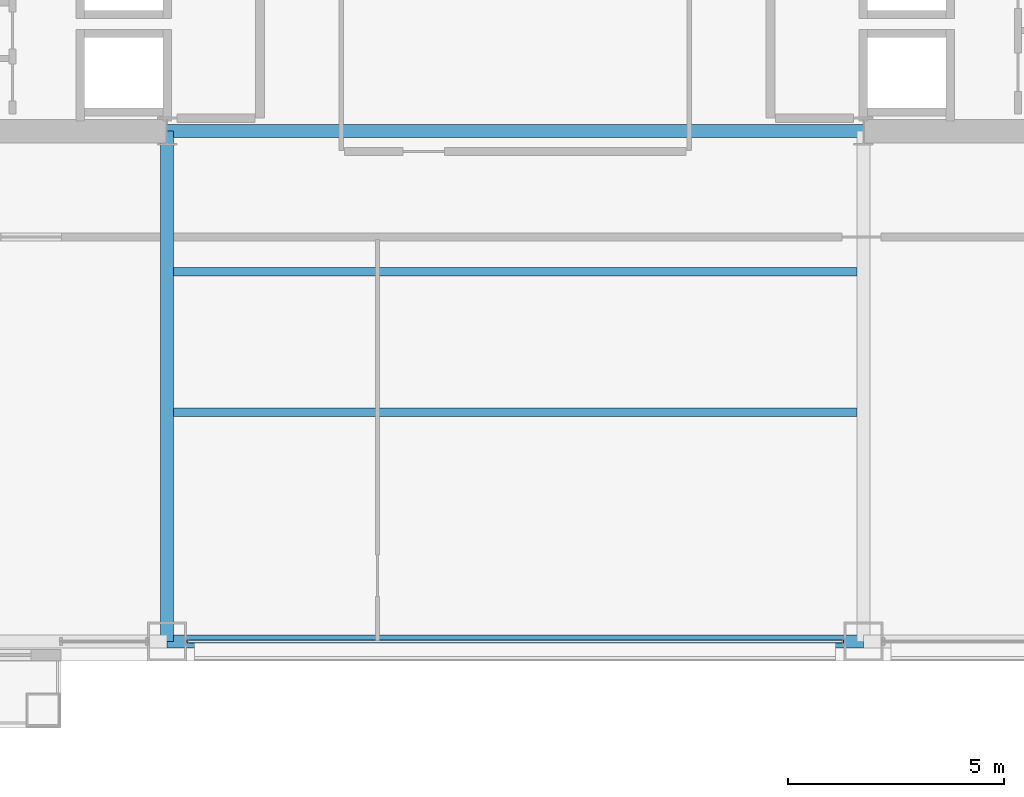
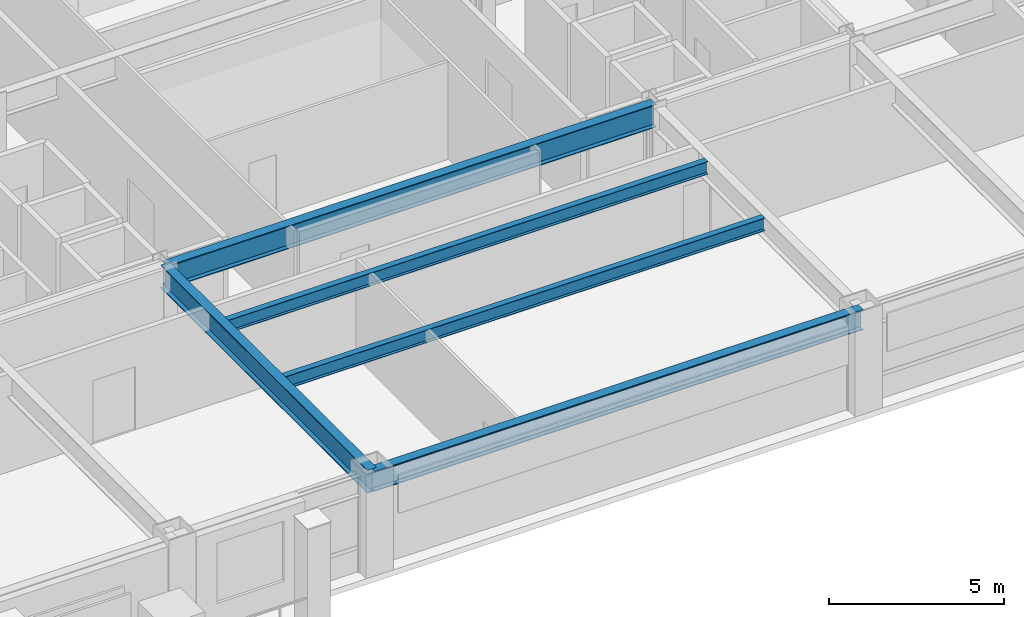
# One storey, part 5 of 28: 5 beams, 1 member, 1 element without a shape of its own.
"""IFC4 building model written with IfcOpenShell, lengths in metres."""

from ifc_helpers import new_model, si_unit, direction, frame, origin, origin_2d, place, context, subcontext, project, spatial, hollow_rectangle, i_section, extrude, material, layer, layer_set, material_profile, profile_set, type_object, element, aggregate, save


model = new_model("IFC4")

# Units and contexts
model_context = context("Model", 3, precision=1e-05, world=origin(), true_north=direction((0.0, 1.0)))
body_context = subcontext(model_context, "Body", "Model", "MODEL_VIEW")
ifc_project = project(units=[si_unit("LENGTHUNIT", "METRE"), si_unit("AREAUNIT", "SQUARE_METRE"), si_unit("VOLUMEUNIT", "CUBIC_METRE"), si_unit("PLANEANGLEUNIT", "RADIAN"), si_unit("MASSUNIT", "GRAM", prefix="KILO")], contexts=[model_context])

# Site, building, storey
site_placement = place(None, origin())
site = spatial("IfcSite", under=ifc_project, at=site_placement, CompositionType="ELEMENT")
building_placement = place(site_placement, origin())
building = spatial("IfcBuilding", under=site, at=building_placement, Name="Brelmoor Portico Tower", CompositionType="ELEMENT")
storey_placement = place(building_placement, frame((0.0, 0.0, 70.800048828125)))
storey = spatial("IfcBuildingStorey", under=building, at=storey_placement, Name="L18", CompositionType="ELEMENT", Elevation=70.800048828125)

# Beams
ifc_material_1 = material(Name="Steel Q355B", Category="steel")
ifc_material_profile_1 = material_profile(ifc_material_1, i_section(OverallWidth=0.199951171875, OverallDepth=0.449951171875, WebThickness=0.009033203125, FlangeThickness=0.013916015625, at=origin_2d()), Name="HN 450x200x9x14")
ifc_profile_set_1 = profile_set([ifc_material_profile_1], Name="Steel Q355B")
beam_type_1 = type_object("IfcBeamType", Name="BM-JS-450", PredefinedType="JOIST", material=ifc_profile_set_1)
for number, where, z_axis, x_axis, name in (
    (1, (-7.89990234375, -16.25, 3.175048828125), (1.0, 0.0, 0.0), (0.0, 1.0, 0.0), "L18 Secondary Composite Joist JS-C01"),
    (2, (-7.89990234375, -13.0, 3.175048828125), (1.0, 0.0, 0.0), (0.0, 1.0, 0.0), "L18 Secondary Composite Joist JS-C02"),
):
    element("IfcBeam", number, at=place(storey_placement, frame(where, z_axis=z_axis, x_axis=x_axis)), inside=storey, type_object=beam_type_1, Name=name, PredefinedType="JOIST", context=body_context, shape_type="SweptSolid", body=[
        extrude(i_section(OverallWidth=0.199951171875, OverallDepth=0.449951171875, WebThickness=0.009033203125, FlangeThickness=0.013916015625, at=origin_2d()), origin(), (0.0, 0.0, 1.0), 15.7998046875),
    ])
ifc_material_profile_2 = material_profile(ifc_material_1, i_section(OverallWidth=0.300048828125, OverallDepth=0.800048828125, WebThickness=0.013916015625, FlangeThickness=0.02587890625, at=origin_2d()), Name="HN 800x300x14x26")
ifc_profile_set_2 = profile_set([ifc_material_profile_2], Name="Steel Q355B")
beam_type_2 = type_object("IfcBeamType", Name="BM-PG-800", PredefinedType="BEAM", material=ifc_profile_set_2)
beam_1_placement = place(storey_placement, frame((-8.050048828125, -21.550048828125, 3.0), z_axis=(0.0, 1.0, 0.0), x_axis=(-1.0, 0.0, 0.0)))
element("IfcBeam", 3, at=beam_1_placement, inside=storey, type_object=beam_type_2, Name="L18 Primary Floor Girder PG-07", PredefinedType="BEAM", context=body_context, shape_type="SweptSolid", body=[
    extrude(i_section(OverallWidth=0.300048828125, OverallDepth=0.800048828125, WebThickness=0.013916015625, FlangeThickness=0.02587890625, at=origin_2d()), origin(), (0.0, 0.0, 1.0), 11.800048828125),
])
beam_2_placement = place(storey_placement, frame((-8.050048828125, -9.75, 3.0), z_axis=(1.0, 0.0, 0.0), x_axis=(0.0, 1.0, 0.0)))
element("IfcBeam", 4, at=beam_2_placement, inside=storey, type_object=beam_type_2, Name="L18 Primary Floor Girder PG-21", PredefinedType="BEAM", context=body_context, shape_type="SweptSolid", body=[
    extrude(i_section(OverallWidth=0.300048828125, OverallDepth=0.800048828125, WebThickness=0.013916015625, FlangeThickness=0.02587890625, at=origin_2d()), origin(), (0.0, 0.0, 1.0), 16.10009765625),
])
ifc_material_profile_3 = material_profile(ifc_material_1, i_section(OverallWidth=0.300048828125, OverallDepth=0.699951171875, WebThickness=0.012939453125, FlangeThickness=0.02392578125, at=origin_2d()), Name="HN 700x300x13x24")
ifc_profile_set_3 = profile_set([ifc_material_profile_3], Name="Steel Q355B")
beam_type_3 = type_object("IfcBeamType", Name="BM-SP-700", PredefinedType="SPANDREL", material=ifc_profile_set_3)
beam_3_placement = place(storey_placement, frame((-8.050048828125, -21.550048828125, 3.050048828125), z_axis=(1.0, 0.0, 0.0), x_axis=(0.0, 1.0, 0.0)))
element("IfcBeam", 5, at=beam_3_placement, inside=storey, type_object=beam_type_3, Name="L18 Perimeter Spandrel Beam SP-03", PredefinedType="SPANDREL", context=body_context, shape_type="SweptSolid", body=[
    extrude(i_section(OverallWidth=0.300048828125, OverallDepth=0.699951171875, WebThickness=0.012939453125, FlangeThickness=0.02392578125, at=origin_2d()), origin(), (0.0, 0.0, 1.0), 16.10009765625),
])

# Curtain wall, member
ifc_material_2 = material(Name="Anodised Aluminium Alloy 6063-T6", Category="aluminium")
ifc_layer = layer(ifc_material_2, 0.179931640625)
ifc_layer_set = layer_set([ifc_layer], Name="Anodised Aluminium Alloy 6063-T6")
curtain_wall_type = type_object("IfcCurtainWallType", Name="CW-TOWER-Z1-XB", PredefinedType="NOTDEFINED", material=ifc_layer_set)
curtain_wall_placement = place(storey_placement, origin())
curtain_wall = element("IfcCurtainWall", 6, at=curtain_wall_placement, inside=storey, type_object=curtain_wall_type, Name="L18 Curtain Wall CW-L18-1R-2", PredefinedType="NOTDEFINED")
ifc_material_profile_4 = material_profile(ifc_material_2, hollow_rectangle(XDim=0.06494140625, YDim=0.139892578125, WallThickness=0.00390625, at=origin_2d()), Name="ALU TRANSOM 65x140")
ifc_profile_set_4 = profile_set([ifc_material_profile_4], Name="Anodised Aluminium Alloy 6063-T6")
member_type = type_object("IfcMemberType", Name="MB-CW-TRAN-140", PredefinedType="USERDEFINED", material=ifc_profile_set_4)
member_placement = place(storey_placement, frame((-7.590087890625, -21.550048828125, 3.329833984375), z_axis=(1.0, 0.0, 0.0), x_axis=(0.0, 1.0, 0.0)))
member = element("IfcMember", 7, at=member_placement, type_object=member_type, Name="CW-L18-1R-2 Transom 1-00", ObjectType="TRANSOM", PredefinedType="USERDEFINED", context=body_context, shape_type="SweptSolid", body=[
    extrude(hollow_rectangle(XDim=0.06494140625, YDim=0.139892578125, WallThickness=0.00390625, at=origin_2d()), origin(), (0.0, 0.0, 1.0), 15.18017578125),
])
aggregate(curtain_wall, [member])

save(model, "model.ifc")
